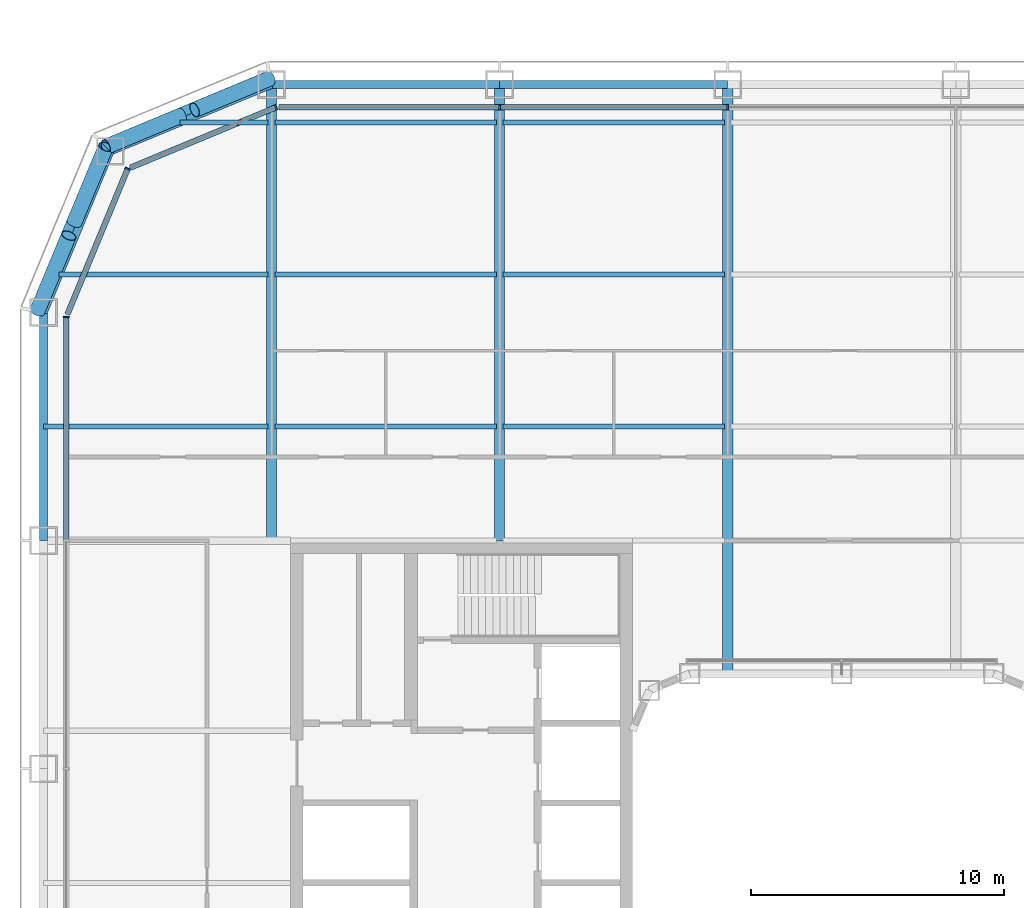
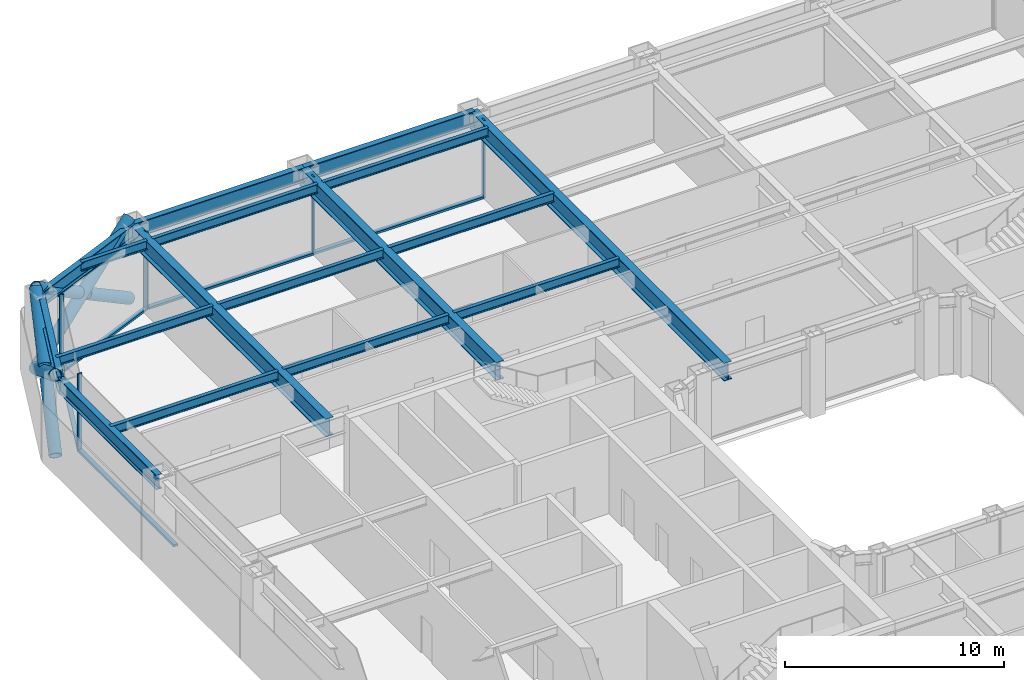
# One storey, part 7 of 30: 17 beams, 16 members, 4 elements without a shape of their own.
"""IFC4 building model written with IfcOpenShell, lengths in metres."""

import ifcopenshell
import ifcopenshell.guid

model = None  # the IFC model being written
_history = None  # IfcOwnerHistory: only IFC2X3 demands one
_inside = {}  # id of a spatial element -> (the spatial element, [elements in it])
_under = {}  # id of a project, library or spatial element -> (it, [spatial elements below it])
_declared = {}  # id of a project -> (the project, [libraries it declares])
_typed = {}  # id of a type object -> (the type object, [elements of that type])
_made_of = {}  # id of a material, layer set ... -> (it, [elements and type objects made of it])


def new_model(schema):
    """Start an empty IFC model of exactly this schema.

    Asked for "IFC4X3", IfcOpenShell would pick the latest addendum, in which some entities
    have other attributes; the version numbers below select the first issue.
    IFC2X3 requires an IfcOwnerHistory on every rooted entity: one is made here for all.
    """
    global model, _history
    if schema == "IFC4X3":
        model = ifcopenshell.file(schema_version=(4, 3, 0, 0))
    else:
        model = ifcopenshell.file(schema=schema)
    _inside.clear()
    _under.clear()
    _declared.clear()
    _typed.clear()
    _made_of.clear()
    _history = None
    if model.schema == "IFC2X3":
        org = make("IfcOrganization", Name="unknown")
        user = make(
            "IfcPersonAndOrganization",
            ThePerson=make("IfcPerson", FamilyName="unknown"),
            TheOrganization=org,
        )
        app = make(
            "IfcApplication",
            ApplicationDeveloper=org,
            Version="unknown",
            ApplicationFullName="unknown",
            ApplicationIdentifier="unknown",
        )
        _history = make(
            "IfcOwnerHistory",
            OwningUser=user,
            OwningApplication=app,
            ChangeAction="ADDED",
            CreationDate=0,
        )
    return model


def make(cls, **values):
    """One entity of the class cls with the attributes given. An attribute that is None is left unset."""
    return model.create_entity(
        cls, **{name: value for name, value in values.items() if value is not None}
    )


def rooted(cls, **values):
    """An entity with a GlobalId (a new one), such as an element, a storey or a relation."""
    return make(cls, GlobalId=ifcopenshell.guid.new(), OwnerHistory=_history, **values)


def si_unit(unit_type, name, prefix=None):
    """IfcSIUnit, for example si_unit("LENGTHUNIT", "METRE", prefix="MILLI")."""
    return make("IfcSIUnit", UnitType=unit_type, Prefix=prefix, Name=name)


def assignment(units):
    """IfcUnitAssignment: the units of a project."""
    return None if units is None else make("IfcUnitAssignment", Units=units)


def point(xyz):
    """IfcCartesianPoint."""
    return None if xyz is None else make("IfcCartesianPoint", Coordinates=xyz)


def direction(xyz):
    """IfcDirection."""
    return None if xyz is None else make("IfcDirection", DirectionRatios=xyz)


def frame(location, z_axis=None, x_axis=None):
    """IfcAxis2Placement3D, a coordinate frame: its origin and axes. An axis left out is left unset."""
    return make(
        "IfcAxis2Placement3D",
        Location=point(location),
        Axis=direction(z_axis),
        RefDirection=direction(x_axis),
    )


def frame_2d(location, x_axis=None):
    """IfcAxis2Placement2D, a coordinate frame in the plane: its origin and x axis."""
    return make(
        "IfcAxis2Placement2D", Location=point(location), RefDirection=direction(x_axis)
    )


def origin():
    """The frame at (0, 0, 0) with its axes left unset."""
    return frame((0.0, 0.0, 0.0))


def origin_2d():
    """The frame at (0, 0) in the plane with its x axis left unset."""
    return frame_2d((0.0, 0.0))


def place(relative_to, where):
    """IfcLocalPlacement: puts the frame where relative to a parent placement (None: the world)."""
    return make(
        "IfcLocalPlacement", PlacementRelTo=relative_to, RelativePlacement=where
    )


def context(
    kind, dimensions, precision=None, world=None, true_north=None, identifier=None
):
    """IfcGeometricRepresentationContext, for example the 3D "Model" context."""
    return make(
        "IfcGeometricRepresentationContext",
        ContextIdentifier=identifier,
        ContextType=kind,
        CoordinateSpaceDimension=dimensions,
        Precision=precision,
        WorldCoordinateSystem=world,
        TrueNorth=true_north,
    )


def subcontext(parent, identifier, kind, view, scale=None):
    """IfcGeometricRepresentationSubContext, for example "Body" below "Model"."""
    return make(
        "IfcGeometricRepresentationSubContext",
        ContextIdentifier=identifier,
        ContextType=kind,
        ParentContext=parent,
        TargetScale=scale,
        TargetView=view,
    )


def project(units=None, contexts=None):
    """IfcProject with its units and contexts."""
    return rooted(
        "IfcProject",
        Name="project",
        RepresentationContexts=contexts,
        UnitsInContext=assignment(units),
    )


def spatial(cls, under=None, at=None, **own):
    """A site, building, storey or space (cls), placed at a placement, below another one or the project."""
    s = rooted(cls, ObjectPlacement=at, **own)
    if under is not None:
        _under.setdefault(under.id(), (under, []))[1].append(s)
    return s


def profile(cls, at=None, kind="AREA", **sizes):
    """A parametric profile (cls). Its sizes go by their IFC names, for example OverallWidth=200.0."""
    return make(cls, ProfileType=kind, Position=at, **sizes)


def rectangle(**sizes):
    """IfcRectangleProfileDef."""
    return profile("IfcRectangleProfileDef", **sizes)


def hollow_circle(**sizes):
    """IfcCircleHollowProfileDef."""
    return profile("IfcCircleHollowProfileDef", **sizes)


def i_section(**sizes):
    """IfcIShapeProfileDef."""
    return profile("IfcIShapeProfileDef", **sizes)


def extrude(swept, where, along, depth):
    """IfcExtrudedAreaSolid: the profile swept, set in the frame where, extruded along a direction by depth."""
    return make(
        "IfcExtrudedAreaSolid",
        SweptArea=swept,
        Position=where,
        ExtrudedDirection=direction(along),
        Depth=depth,
    )


def shape(context_of_items, identifier, shape_type, items):
    """IfcShapeRepresentation: the items that make up one representation, for example the "Body"."""
    return make(
        "IfcShapeRepresentation",
        ContextOfItems=context_of_items,
        RepresentationIdentifier=identifier,
        RepresentationType=shape_type,
        Items=items,
    )


def material(Name=None, Category=None):
    """IfcMaterial."""
    return make("IfcMaterial", Name=Name, Category=Category)


def layer(
    of_material, thickness, ventilated=None, Name=None, Category=None, Priority=None
):
    """IfcMaterialLayer: one layer of a wall or slab, of a material (None: an air gap)."""
    return make(
        "IfcMaterialLayer",
        Material=of_material,
        LayerThickness=thickness,
        IsVentilated=ventilated,
        Name=Name,
        Category=Category,
        Priority=Priority,
    )


def layer_set(layers, Name=None):
    """IfcMaterialLayerSet."""
    return make("IfcMaterialLayerSet", MaterialLayers=layers, LayerSetName=Name)


def material_profile(
    of_material, cross_section, Name=None, Category=None, Priority=None
):
    """IfcMaterialProfile: a cross section and its material."""
    return make(
        "IfcMaterialProfile",
        Name=Name,
        Material=of_material,
        Profile=cross_section,
        Priority=Priority,
        Category=Category,
    )


def profile_set(profiles, Name=None, composite=None):
    """IfcMaterialProfileSet."""
    return make(
        "IfcMaterialProfileSet",
        Name=Name,
        MaterialProfiles=profiles,
        CompositeProfile=composite,
    )


def made_of(thing, what):
    """Note that an element or type object is made of a material, layer set ...; save() writes the relation."""
    if what is not None:
        _made_of.setdefault(what.id(), (what, []))[1].append(thing)
    return thing


def type_object(cls, material=None, **own):
    """A type object (cls), such as IfcWallType, which elements share."""
    return made_of(rooted(cls, **own), material)


def element(
    cls,
    number,
    at=None,
    inside=None,
    cuts=None,
    type_object=None,
    material=None,
    context=None,
    identifier="Body",
    shape_type=None,
    held_by="IfcProductDefinitionShape",
    body=None,
    shapes=None,
    **own,
):
    """One element of the class cls, such as IfcWall. Its Tag is "e" and its number.

    at: its placement. inside: the storey or other place that contains it. cuts: it is an
    opening in that element (IfcRelVoidsElement). A single representation is given by context,
    identifier, shape_type and body (its items); several are given by shapes. held_by: the class
    of the entity that holds the representations. save() writes the other relations.
    """
    e = rooted(cls, Tag="e%d" % number, ObjectPlacement=at, **own)
    if body is not None:
        shapes = [shape(context, identifier, shape_type, body)]
    if shapes is not None:
        e.Representation = make(held_by, Representations=shapes)
    if inside is not None:
        _inside.setdefault(inside.id(), (inside, []))[1].append(e)
    if cuts is not None:
        rooted(
            "IfcRelVoidsElement", RelatingBuildingElement=cuts, RelatedOpeningElement=e
        )
    if type_object is not None:
        _typed.setdefault(type_object.id(), (type_object, []))[1].append(e)
    return made_of(e, material)


def aggregate(whole, parts):
    """IfcRelAggregates: a whole, such as a stair, and the parts it consists of."""
    return rooted("IfcRelAggregates", RelatingObject=whole, RelatedObjects=parts)


def save(model, path):
    """Write the relations noted so far, then the file.

    IfcRelAggregates (storeys below a building ...), IfcRelContainedInSpatialStructure (elements
    in a storey), IfcRelDefinesByType, IfcRelAssociatesMaterial and IfcRelDeclares: one each for
    every whole, place, type object, material and project.
    """
    for whole, parts in _under.values():
        aggregate(whole, parts)
    for where, things in _inside.values():
        rooted(
            "IfcRelContainedInSpatialStructure",
            RelatedElements=things,
            RelatingStructure=where,
        )
    for kind, things in _typed.values():
        rooted("IfcRelDefinesByType", RelatedObjects=things, RelatingType=kind)
    for what, things in _made_of.values():
        rooted("IfcRelAssociatesMaterial", RelatedObjects=things, RelatingMaterial=what)
    for by, libraries in _declared.values():
        rooted("IfcRelDeclares", RelatingContext=by, RelatedDefinitions=libraries)
    model.write(path)


model = new_model("IFC4")

# Units and contexts
model_context = context("Model", 3, precision=1e-05, world=origin(), true_north=direction((0.0, 1.0)))
body_context = subcontext(model_context, "Body", "Model", "MODEL_VIEW")
ifc_project = project(units=[si_unit("LENGTHUNIT", "METRE"), si_unit("AREAUNIT", "SQUARE_METRE"), si_unit("VOLUMEUNIT", "CUBIC_METRE"), si_unit("PLANEANGLEUNIT", "RADIAN"), si_unit("MASSUNIT", "GRAM", prefix="KILO")], contexts=[model_context])

# Site, building, storey
site_placement = place(None, origin())
site = spatial("IfcSite", under=ifc_project, at=site_placement, CompositionType="ELEMENT")
building_placement = place(site_placement, origin())
building = spatial("IfcBuilding", under=site, at=building_placement, Name="Siwar Civic Tower", CompositionType="ELEMENT")
storey_placement = place(building_placement, frame((0.0, 0.0, 44.699951171875)))
storey = spatial("IfcBuildingStorey", under=building, at=storey_placement, Name="L09", CompositionType="ELEMENT", Elevation=44.699951171875)

# Curtain wall, members
ifc_material_1 = material(Name="Aluminium and glass", Category="aluminium")
ifc_layer_1 = layer(ifc_material_1, 0.219970703125)
ifc_layer_set_1 = layer_set([ifc_layer_1], Name="Aluminium and glass")
curtain_wall_type_1 = type_object("IfcCurtainWallType", Name="ENV-CW-A", PredefinedType="NOTDEFINED", material=ifc_layer_set_1)
curtain_wall_1_placement = place(storey_placement, origin())
curtain_wall_1 = element("IfcCurtainWall", 1, at=curtain_wall_1_placement, inside=storey, type_object=curtain_wall_type_1, Name="Curtain wall A N", PredefinedType="NOTDEFINED")
ifc_material_2 = material(Name="Aluminium 6063-T6", Category="aluminium")
ifc_material_profile_1 = material_profile(ifc_material_2, rectangle(XDim=0.219970703125, YDim=0.070068359375, at=origin_2d()), Name="AL 220x70")
ifc_profile_set_1 = profile_set([ifc_material_profile_1], Name="Aluminium 6063-T6")
member_type_1 = type_object("IfcMemberType", Name="ENV-MULLION-A", PredefinedType="MULLION", material=ifc_profile_set_1)
member_1_placement = place(storey_placement, frame((-4.5, 30.60009765625, 0.0), z_axis=(0.0, 0.0, 1.0), x_axis=(0.0, -1.0, 0.0)))
member_1 = element("IfcMember", 2, at=member_1_placement, type_object=member_type_1, Name="Mullion A N 4", PredefinedType="MULLION", context=body_context, shape_type="SweptSolid", body=[
    extrude(rectangle(XDim=0.219970703125, YDim=0.070068359375, at=origin_2d()), origin(), (0.0, 0.0, 1.0), 4.35009765625),
])
member_2_placement = place(storey_placement, frame((-13.5, 30.60009765625, 0.0), z_axis=(0.0, 0.0, 1.0), x_axis=(0.0, -1.0, 0.0)))
member_2 = element("IfcMember", 3, at=member_2_placement, type_object=member_type_1, Name="Mullion A N 5", PredefinedType="MULLION", context=body_context, shape_type="SweptSolid", body=[
    extrude(rectangle(XDim=0.219970703125, YDim=0.070068359375, at=origin_2d()), origin(), (0.0, 0.0, 1.0), 4.35009765625),
])

# Curtain wall, member
ifc_material_3 = material(Name="Aluminium clad insulated panel", Category="aluminium")
ifc_layer_2 = layer(ifc_material_3, 0.219970703125)
ifc_layer_set_2 = layer_set([ifc_layer_2], Name="Aluminium clad insulated panel")
curtain_wall_type_2 = type_object("IfcCurtainWallType", Name="ENV-CW-AX", PredefinedType="NOTDEFINED", material=ifc_layer_set_2)
curtain_wall_2_placement = place(storey_placement, origin())
curtain_wall_2 = element("IfcCurtainWall", 4, at=curtain_wall_2_placement, inside=storey, type_object=curtain_wall_type_2, Name="Curtain wall A NW1", PredefinedType="NOTDEFINED")
member_3_placement = place(storey_placement, frame((-22.321044921875, 30.60009765625, 0.0), z_axis=(0.0, 0.0, 1.0), x_axis=(0.382683432365, -0.923879532511, 0.0)))
member_3 = element("IfcMember", 5, at=member_3_placement, type_object=member_type_1, Name="Mullion A NW1 1", PredefinedType="MULLION", context=body_context, shape_type="SweptSolid", body=[
    extrude(rectangle(XDim=0.219970703125, YDim=0.070068359375, at=origin_2d()), origin(), (0.0, 0.0, 1.0), 4.35009765625),
])

curtain_wall_3_placement = place(storey_placement, origin())
curtain_wall_3 = element("IfcCurtainWall", 6, at=curtain_wall_3_placement, inside=storey, type_object=curtain_wall_type_2, Name="Curtain wall A NW2", PredefinedType="NOTDEFINED")
member_4_placement = place(storey_placement, frame((-28.175048828125, 28.175048828125, 0.0), z_axis=(0.0, 0.0, 1.0), x_axis=(0.923879532511, -0.382683432365, 0.0)))
member_4 = element("IfcMember", 7, at=member_4_placement, type_object=member_type_1, Name="Mullion A NW2 1", PredefinedType="MULLION", context=body_context, shape_type="SweptSolid", body=[
    extrude(rectangle(XDim=0.219970703125, YDim=0.070068359375, at=origin_2d()), origin(), (0.0, 0.0, 1.0), 4.35009765625),
])

curtain_wall_4_placement = place(storey_placement, origin())
curtain_wall_4 = element("IfcCurtainWall", 8, at=curtain_wall_4_placement, inside=storey, type_object=curtain_wall_type_1, Name="Curtain wall A W", PredefinedType="NOTDEFINED")
member_5_placement = place(storey_placement, frame((-30.60009765625, 22.321044921875, 0.0), z_axis=(0.0, 0.0, 1.0), x_axis=(1.0, 0.0, 0.0)))
member_5 = element("IfcMember", 9, at=member_5_placement, type_object=member_type_1, Name="Mullion A W 1", PredefinedType="MULLION", context=body_context, shape_type="SweptSolid", body=[
    extrude(rectangle(XDim=0.219970703125, YDim=0.070068359375, at=origin_2d()), origin(), (0.0, 0.0, 1.0), 4.35009765625),
])

# Member
ifc_material_4 = material(Name="Aluminium 6063-T6", Category="aluminium")
ifc_material_profile_2 = material_profile(ifc_material_4, rectangle(XDim=0.219970703125, YDim=0.1201171875, at=origin_2d()), Name="AL 220x120")
ifc_profile_set_2 = profile_set([ifc_material_profile_2], Name="Aluminium 6063-T6")
member_type_2 = type_object("IfcMemberType", Name="ENV-TRANSOM-A", PredefinedType="USERDEFINED", material=ifc_profile_set_2)
member_6_placement = place(storey_placement, frame((-4.534912109375, 30.60009765625, 0.06005859375), z_axis=(-1.0, 0.0, 0.0), x_axis=(0.0, -1.0, 0.0)))
member_6 = element("IfcMember", 10, at=member_6_placement, type_object=member_type_2, Name="Transom A N 4", ObjectType="TRANSOM", PredefinedType="USERDEFINED", context=body_context, shape_type="SweptSolid", body=[
    extrude(rectangle(XDim=0.219970703125, YDim=0.1201171875, at=origin_2d()), origin(), (0.0, 0.0, 1.0), 8.93017578125),
])

member_7_placement = place(storey_placement, frame((-13.534912109375, 30.60009765625, 0.06005859375), z_axis=(-1.0, 0.0, 0.0), x_axis=(0.0, -1.0, 0.0)))
member_7 = element("IfcMember", 11, at=member_7_placement, type_object=member_type_2, Name="Transom A N 5", ObjectType="TRANSOM", PredefinedType="USERDEFINED", context=body_context, shape_type="SweptSolid", body=[
    extrude(rectangle(XDim=0.219970703125, YDim=0.1201171875, at=origin_2d()), origin(), (0.0, 0.0, 1.0), 8.66357421875),
])

aggregate(curtain_wall_1, [member_1, member_2, member_6, member_7])

member_8_placement = place(storey_placement, frame((-22.353271484375, 30.586669921875, 0.06005859375), z_axis=(-0.923873326341, -0.382698415042, 0.0), x_axis=(0.382698415042, -0.923873326341, 0.0)))
member_8 = element("IfcMember", 12, at=member_8_placement, type_object=member_type_2, Name="Transom A NW1 1", ObjectType="TRANSOM", PredefinedType="USERDEFINED", context=body_context, shape_type="SweptSolid", body=[
    extrude(rectangle(XDim=0.219970703125, YDim=0.1201171875, at=origin_2d()), origin(), (0.0, 0.0, 1.0), 6.17919921875),
])

aggregate(curtain_wall_2, [member_3, member_8])

member_9_placement = place(storey_placement, frame((-28.1884765625, 28.142822265625, 0.06005859375), z_axis=(-0.382698415042, -0.923873326341, 0.0), x_axis=(0.923873326341, -0.382698415042, 0.0)))
member_9 = element("IfcMember", 13, at=member_9_placement, type_object=member_type_2, Name="Transom A NW2 1", ObjectType="TRANSOM", PredefinedType="USERDEFINED", context=body_context, shape_type="SweptSolid", body=[
    extrude(rectangle(XDim=0.219970703125, YDim=0.1201171875, at=origin_2d()), origin(), (0.0, 0.0, 1.0), 6.17919921875),
])

aggregate(curtain_wall_3, [member_4, member_9])

member_10_placement = place(storey_placement, frame((-30.60009765625, 22.285888671875, 0.06005859375), z_axis=(0.0, -1.0, 0.0), x_axis=(1.0, 0.0, 0.0)))
member_10 = element("IfcMember", 14, at=member_10_placement, type_object=member_type_2, Name="Transom A W 1", ObjectType="TRANSOM", PredefinedType="USERDEFINED", context=body_context, shape_type="SweptSolid", body=[
    extrude(rectangle(XDim=0.219970703125, YDim=0.1201171875, at=origin_2d()), origin(), (0.0, 0.0, 1.0), 8.7509765625),
])

aggregate(curtain_wall_4, [member_5, member_10])

# Members
ifc_material_5 = material(Name="Steel S355", Category="steel")
ifc_material_profile_3 = material_profile(ifc_material_5, hollow_circle(Radius=0.304931640625, WallThickness=0.030029296875, at=origin_2d()), Name="CHS610x30")
ifc_profile_set_3 = profile_set([ifc_material_profile_3], Name="Steel S355")
member_type_3 = type_object("IfcMemberType", Name="STR-BR-CHS610x30", PredefinedType="BRACE", material=ifc_profile_set_3)
member_11_placement = place(storey_placement, frame((-29.040771484375, 29.040771484375, 0.0), z_axis=(-0.323905527954, -0.777554562952, 0.538975055633), x_axis=(0.923108759191, -0.384538969033, 0.0)))
element("IfcMember", 15, at=member_11_placement, inside=storey, type_object=member_type_3, Name="L09/brc/ANW1-8-0-1", PredefinedType="BRACE", context=body_context, shape_type="SweptSolid", body=[
    extrude(hollow_circle(Radius=0.304931640625, WallThickness=0.030029296875, at=origin_2d()), origin(), (0.0, 0.0, 1.0), 8.34912109375),
])
member_12_placement = place(storey_placement, frame((-31.7451171875, 22.548828125, 0.0), z_axis=(0.323882123145, 0.777533059308, 0.539020140617), x_axis=(-0.923114847559, 0.384524353215, 0.0)))
element("IfcMember", 16, at=member_12_placement, inside=storey, type_object=member_type_3, Name="L09/brc/ANW1-8-0-2", PredefinedType="BRACE", context=body_context, shape_type="SweptSolid", body=[
    extrude(hollow_circle(Radius=0.304931640625, WallThickness=0.030029296875, at=origin_2d()), origin(), (0.0, 0.0, 1.0), 3.843505859375),
])
member_13_placement = place(storey_placement, frame((-30.285888671875, 26.052001953125, 2.428466796875), z_axis=(0.323934068367, 0.777568797048, 0.538937366685), x_axis=(-0.923099230484, 0.384561842466, 0.0)))
element("IfcMember", 17, at=member_13_placement, inside=storey, type_object=member_type_3, Name="L09/brc/ANW1-8-0-3", PredefinedType="BRACE", context=body_context, shape_type="SweptSolid", body=[
    extrude(hollow_circle(Radius=0.304931640625, WallThickness=0.030029296875, at=origin_2d()), origin(), (0.0, 0.0, 1.0), 3.84375),
])
member_14_placement = place(storey_placement, frame((-29.040771484375, 29.040771484375, 0.0), z_axis=(0.777554562952, 0.323905527954, 0.538975055633), x_axis=(-0.384538969033, 0.923108759191, 0.0)))
element("IfcMember", 18, at=member_14_placement, inside=storey, type_object=member_type_3, Name="L09/brc/ANW1-8-0-0", PredefinedType="BRACE", context=body_context, shape_type="SweptSolid", body=[
    extrude(hollow_circle(Radius=0.304931640625, WallThickness=0.030029296875, at=origin_2d()), origin(), (0.0, 0.0, 1.0), 8.34912109375),
])
member_15_placement = place(storey_placement, frame((-22.548828125, 31.7451171875, 0.0), z_axis=(-0.777533059308, -0.323882123145, 0.539020140617), x_axis=(0.384524353215, -0.923114847559, 0.0)))
element("IfcMember", 19, at=member_15_placement, inside=storey, type_object=member_type_3, Name="L09/brc/ANW1-8-0-4", PredefinedType="BRACE", context=body_context, shape_type="SweptSolid", body=[
    extrude(hollow_circle(Radius=0.304931640625, WallThickness=0.030029296875, at=origin_2d()), origin(), (0.0, 0.0, 1.0), 3.843505859375),
])
member_16_placement = place(storey_placement, frame((-26.052001953125, 30.285888671875, 2.428466796875), z_axis=(-0.777568797048, -0.323934068367, 0.538937366685), x_axis=(0.384561842466, -0.923099230484, 0.0)))
element("IfcMember", 20, at=member_16_placement, inside=storey, type_object=member_type_3, Name="L09/brc/ANW1-8-0-5", PredefinedType="BRACE", context=body_context, shape_type="SweptSolid", body=[
    extrude(hollow_circle(Radius=0.304931640625, WallThickness=0.030029296875, at=origin_2d()), origin(), (0.0, 0.0, 1.0), 3.84375),
])

# Beams
ifc_material_6 = material(Name="Steel S355", Category="steel")
ifc_material_profile_4 = material_profile(ifc_material_6, i_section(OverallWidth=0.199951171875, OverallDepth=0.5, WebThickness=0.01025390625, FlangeThickness=0.01611328125, FilletRadius=0.02099609375, at=origin_2d()), Name="IPE500")
ifc_profile_set_4 = profile_set([ifc_material_profile_4], Name="Steel S355")
beam_type_1 = type_object("IfcBeamType", Name="STR-FB-IPE500", PredefinedType="JOIST", material=ifc_profile_set_4)
beam_1_placement = place(storey_placement, frame((-31.5, 18.0, 4.10009765625), z_axis=(1.0, 0.0, 0.0), x_axis=(0.0, 1.0, 0.0)))
element("IfcBeam", 21, at=beam_1_placement, inside=storey, type_object=beam_type_1, Name="L09/bm/F046", PredefinedType="JOIST", context=body_context, shape_type="SweptSolid", body=[
    extrude(i_section(OverallWidth=0.199951171875, OverallDepth=0.5, WebThickness=0.01025390625, FlangeThickness=0.01611328125, FilletRadius=0.02099609375, at=origin_2d()), origin(), (0.0, 0.0, 1.0), 8.8701171875),
])
for number, where, z_axis, x_axis, name in (
    (22, (-22.3701171875, 18.0, 4.10009765625), (1.0, 0.0, 0.0), (0.0, 1.0, 0.0), "L09/bm/F047"),
    (23, (-13.3701171875, 18.0, 4.10009765625), (1.0, 0.0, 0.0), (0.0, 1.0, 0.0), "L09/bm/F048"),
):
    element("IfcBeam", number, at=place(storey_placement, frame(where, z_axis=z_axis, x_axis=x_axis)), inside=storey, type_object=beam_type_1, Name=name, PredefinedType="JOIST", context=body_context, shape_type="SweptSolid", body=[
        extrude(i_section(OverallWidth=0.199951171875, OverallDepth=0.5, WebThickness=0.01025390625, FlangeThickness=0.01611328125, FilletRadius=0.02099609375, at=origin_2d()), origin(), (0.0, 0.0, 1.0), 8.740234375),
    ])
beam_2_placement = place(storey_placement, frame((-30.878662109375, 24.0, 4.10009765625), z_axis=(1.0, 0.0, 0.0), x_axis=(0.0, 1.0, 0.0)))
element("IfcBeam", 24, at=beam_2_placement, inside=storey, type_object=beam_type_1, Name="L09/bm/F053", PredefinedType="JOIST", context=body_context, shape_type="SweptSolid", body=[
    extrude(i_section(OverallWidth=0.199951171875, OverallDepth=0.5, WebThickness=0.01025390625, FlangeThickness=0.01611328125, FilletRadius=0.02099609375, at=origin_2d()), origin(), (0.0, 0.0, 1.0), 8.248779296875),
])
for number, where, z_axis, x_axis, name in (
    (25, (-22.3701171875, 24.0, 4.10009765625), (1.0, 0.0, 0.0), (0.0, 1.0, 0.0), "L09/bm/F054"),
    (26, (-13.3701171875, 24.0, 4.10009765625), (1.0, 0.0, 0.0), (0.0, 1.0, 0.0), "L09/bm/F055"),
):
    element("IfcBeam", number, at=place(storey_placement, frame(where, z_axis=z_axis, x_axis=x_axis)), inside=storey, type_object=beam_type_1, Name=name, PredefinedType="JOIST", context=body_context, shape_type="SweptSolid", body=[
        extrude(i_section(OverallWidth=0.199951171875, OverallDepth=0.5, WebThickness=0.01025390625, FlangeThickness=0.01611328125, FilletRadius=0.02099609375, at=origin_2d()), origin(), (0.0, 0.0, 1.0), 8.740234375),
    ])
beam_3_placement = place(storey_placement, frame((-26.121337890625, 30.0, 4.10009765625), z_axis=(1.0, 0.0, 0.0), x_axis=(0.0, 1.0, 0.0)))
element("IfcBeam", 27, at=beam_3_placement, inside=storey, type_object=beam_type_1, Name="L09/bm/F060", PredefinedType="JOIST", context=body_context, shape_type="SweptSolid", body=[
    extrude(i_section(OverallWidth=0.199951171875, OverallDepth=0.5, WebThickness=0.01025390625, FlangeThickness=0.01611328125, FilletRadius=0.02099609375, at=origin_2d()), origin(), (0.0, 0.0, 1.0), 3.491455078125),
])
for number, where, z_axis, x_axis, name in (
    (28, (-22.3701171875, 30.0, 4.10009765625), (1.0, 0.0, 0.0), (0.0, 1.0, 0.0), "L09/bm/F061"),
    (29, (-13.3701171875, 30.0, 4.10009765625), (1.0, 0.0, 0.0), (0.0, 1.0, 0.0), "L09/bm/F062"),
):
    element("IfcBeam", number, at=place(storey_placement, frame(where, z_axis=z_axis, x_axis=x_axis)), inside=storey, type_object=beam_type_1, Name=name, PredefinedType="JOIST", context=body_context, shape_type="SweptSolid", body=[
        extrude(i_section(OverallWidth=0.199951171875, OverallDepth=0.5, WebThickness=0.01025390625, FlangeThickness=0.01611328125, FilletRadius=0.02099609375, at=origin_2d()), origin(), (0.0, 0.0, 1.0), 8.740234375),
    ])
ifc_material_7 = material(Name="Steel S355", Category="steel")
ifc_material_profile_5 = material_profile(ifc_material_7, i_section(OverallWidth=0.39990234375, OverallDepth=1.0, WebThickness=0.01611328125, FlangeThickness=0.0400390625, at=origin_2d()), Name="PG1000x400x16x40")
ifc_profile_set_5 = profile_set([ifc_material_profile_5], Name="Steel S355")
beam_type_2 = type_object("IfcBeamType", Name="STR-PG-PG1000x400x16x40", PredefinedType="BEAM", material=ifc_profile_set_5)
for number, where, z_axis, x_axis, name in (
    (30, (-22.5, 13.5, 3.85009765625), (0.0, 1.0, 0.0), (-1.0, 0.0, 0.0), "L09/bm/G02"),
    (31, (-13.5, 13.5, 3.85009765625), (0.0, 1.0, 0.0), (-1.0, 0.0, 0.0), "L09/bm/G04"),
):
    element("IfcBeam", number, at=place(storey_placement, frame(where, z_axis=z_axis, x_axis=x_axis)), inside=storey, type_object=beam_type_2, Name=name, PredefinedType="BEAM", context=body_context, shape_type="SweptSolid", body=[
        extrude(i_section(OverallWidth=0.39990234375, OverallDepth=1.0, WebThickness=0.01611328125, FlangeThickness=0.0400390625, at=origin_2d()), origin(), (0.0, 0.0, 1.0), 18.0),
    ])
beam_4_placement = place(storey_placement, frame((-4.5, 8.25, 3.85009765625), z_axis=(0.0, 1.0, 0.0), x_axis=(-1.0, 0.0, 0.0)))
element("IfcBeam", 32, at=beam_4_placement, inside=storey, type_object=beam_type_2, Name="L09/bm/G06", PredefinedType="BEAM", context=body_context, shape_type="SweptSolid", body=[
    extrude(i_section(OverallWidth=0.39990234375, OverallDepth=1.0, WebThickness=0.01611328125, FlangeThickness=0.0400390625, at=origin_2d()), origin(), (0.0, 0.0, 1.0), 23.25),
])
ifc_material_8 = material(Name="Steel S355", Category="steel")
ifc_material_profile_6 = material_profile(ifc_material_8, i_section(OverallWidth=0.302978515625, OverallDepth=0.81396484375, WebThickness=0.02099609375, FlangeThickness=0.0400390625, FilletRadius=0.030029296875, at=origin_2d()), Name="HEM800")
ifc_profile_set_6 = profile_set([ifc_material_profile_6], Name="Steel S355")
beam_type_3 = type_object("IfcBeamType", Name="STR-SB-HEM800", PredefinedType="BEAM", material=ifc_profile_set_6)
for number, where, z_axis, x_axis, name in (
    (33, (-4.5, 31.5, 3.943115234375), (-1.0, 0.0, 0.0), (0.0, -1.0, 0.0), "L09/bm/SN-3"),
    (34, (-13.5, 31.5, 3.943115234375), (-1.0, 0.0, 0.0), (0.0, -1.0, 0.0), "L09/bm/SN-4"),
):
    element("IfcBeam", number, at=place(storey_placement, frame(where, z_axis=z_axis, x_axis=x_axis)), inside=storey, type_object=beam_type_3, Name=name, PredefinedType="BEAM", context=body_context, shape_type="SweptSolid", body=[
        extrude(i_section(OverallWidth=0.302978515625, OverallDepth=0.81396484375, WebThickness=0.02099609375, FlangeThickness=0.0400390625, FilletRadius=0.030029296875, at=origin_2d()), origin(), (0.0, 0.0, 1.0), 9.0),
    ])
for number, where, z_axis, x_axis, name in (
    (35, (-22.5, 31.5, 3.943115234375), (-0.923883353507, -0.382674207535, 0.0), (0.382674207535, -0.923883353507, 0.0), "L09/bm/SNW1-0"),
    (36, (-28.864013671875, 28.864013671875, 3.943115234375), (-0.382674207535, -0.923883353507, 0.0), (0.923883353507, -0.382674207535, 0.0), "L09/bm/SNW2-0"),
):
    element("IfcBeam", number, at=place(storey_placement, frame(where, z_axis=z_axis, x_axis=x_axis)), inside=storey, type_object=beam_type_3, Name=name, PredefinedType="BEAM", context=body_context, shape_type="SweptSolid", body=[
        extrude(i_section(OverallWidth=0.302978515625, OverallDepth=0.81396484375, WebThickness=0.02099609375, FlangeThickness=0.0400390625, FilletRadius=0.030029296875, at=origin_2d()), origin(), (0.0, 0.0, 1.0), 6.888427734375),
    ])
beam_5_placement = place(storey_placement, frame((-31.5, 22.5, 3.943115234375), z_axis=(0.0, -1.0, 0.0), x_axis=(1.0, 0.0, 0.0)))
element("IfcBeam", 37, at=beam_5_placement, inside=storey, type_object=beam_type_3, Name="L09/bm/SW-0", PredefinedType="BEAM", context=body_context, shape_type="SweptSolid", body=[
    extrude(i_section(OverallWidth=0.302978515625, OverallDepth=0.81396484375, WebThickness=0.02099609375, FlangeThickness=0.0400390625, FilletRadius=0.030029296875, at=origin_2d()), origin(), (0.0, 0.0, 1.0), 9.0),
])

save(model, "model.ifc")
